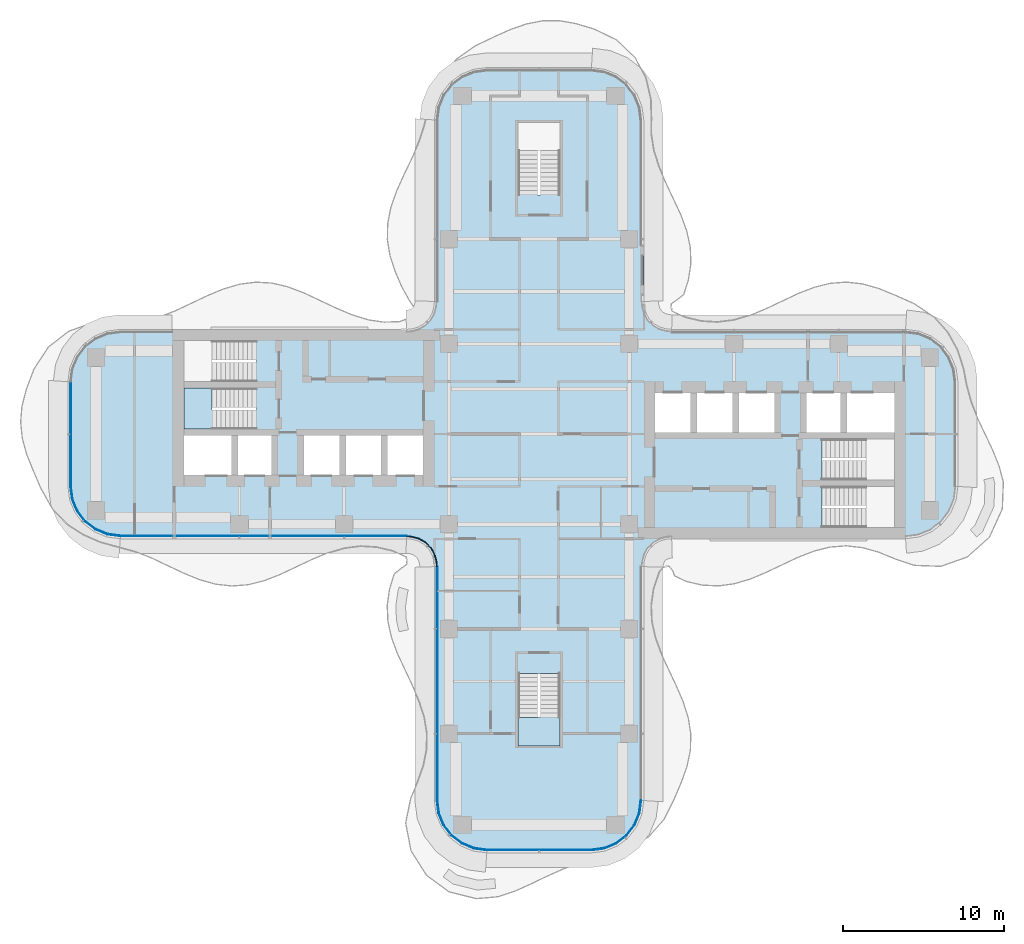
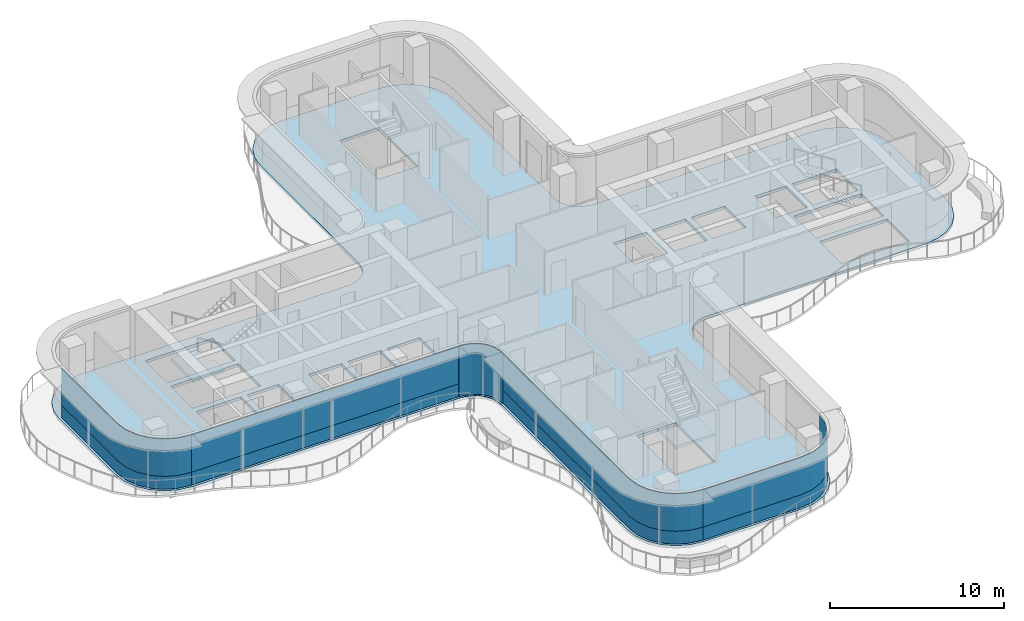
# One storey, part 10 of 19: 9 plates, 3 slabs, 7 elements without a shape of their own.
"""IFC4 building model written with IfcOpenShell, lengths in metres."""

from ifc_helpers import new_model, si_unit, direction, frame, origin, place, context, subcontext, project, spatial, polyline, outline, extrude, source, transform, mapped, material, layer, layer_set, type_object, element, aggregate, save


model = new_model("IFC4")

# Units and contexts
model_context = context("Model", 3, precision=1e-05, world=origin(), true_north=direction((0.0, 1.0)))
body_context = subcontext(model_context, "Body", "Model", "MODEL_VIEW")
ifc_project = project(units=[si_unit("LENGTHUNIT", "METRE"), si_unit("AREAUNIT", "SQUARE_METRE"), si_unit("VOLUMEUNIT", "CUBIC_METRE"), si_unit("PLANEANGLEUNIT", "RADIAN"), si_unit("MASSUNIT", "GRAM", prefix="KILO")], contexts=[model_context])

# Site, building, storey
site_placement = place(None, origin())
site = spatial("IfcSite", under=ifc_project, at=site_placement, CompositionType="ELEMENT")
building_placement = place(site_placement, origin())
building = spatial("IfcBuilding", under=site, at=building_placement, Name="Trellis Farm Tower", CompositionType="ELEMENT")
storey_placement = place(building_placement, frame((0.0, 0.0, 228.5)))
storey = spatial("IfcBuildingStorey", under=building, at=storey_placement, Name="L50", CompositionType="ELEMENT", Elevation=228.5)

# Slab
ifc_material_1 = material(Name="Concrete C40/50", Category="concrete")
ifc_layer_1 = layer(ifc_material_1, 0.199951171875)
ifc_layer_set_1 = layer_set([ifc_layer_1], Name="Composite deck floor slab 200")
slab_type_1 = type_object("IfcSlabType", Name="Composite deck floor slab 200", PredefinedType="FLOOR", material=ifc_layer_set_1)
shared_shape_1 = source(origin(), body_context, "Body", "SweptSolid", [
    extrude(outline(polyline([(-26.84130859375, -6.389404296875), (-27.625, -6.064697265625), (-28.298095703125, -5.548095703125), (-28.814697265625, -4.875), (-29.139404296875, -4.09130859375), (-29.25, -3.25), (-29.25, 3.25), (-29.139404296875, 4.09130859375), (-28.814697265625, 4.875), (-28.298095703125, 5.548095703125), (-27.625, 6.064697265625), (-26.84130859375, 6.389404296875), (-26.0, 6.5), (-8.2314453125, 6.5), (-8.01953125, 6.513916015625), (-7.91552734375, 6.527587890625), (-7.508544921875, 6.63671875), (-7.144287109375, 6.846923828125), (-6.846923828125, 7.144287109375), (-6.63671875, 7.508544921875), (-6.527587890625, 7.91552734375), (-6.513916015625, 8.01953125), (-6.5, 8.2314453125), (-6.5, 19.5), (-6.389404296875, 20.34130859375), (-6.064697265625, 21.125), (-5.548095703125, 21.798095703125), (-4.875, 22.314697265625), (-4.09130859375, 22.639404296875), (-3.25, 22.75), (3.25, 22.75), (4.09130859375, 22.639404296875), (4.875, 22.314697265625), (5.548095703125, 21.798095703125), (6.064697265625, 21.125), (6.389404296875, 20.34130859375), (6.5, 19.5), (6.5, 8.2314453125), (6.513916015625, 8.01953125), (6.527587890625, 7.91552734375), (6.63671875, 7.508544921875), (6.846923828125, 7.144287109375), (7.144287109375, 6.846923828125), (7.508544921875, 6.63671875), (7.91552734375, 6.527587890625), (8.01953125, 6.513916015625), (8.2314453125, 6.5), (22.75, 6.5), (23.59130859375, 6.389404296875), (24.375, 6.064697265625), (25.048095703125, 5.548095703125), (25.564697265625, 4.875), (25.889404296875, 4.09130859375), (26.0, 3.25), (26.0, -3.25), (25.889404296875, -4.09130859375), (25.564697265625, -4.875), (25.048095703125, -5.548095703125), (24.375, -6.064697265625), (23.59130859375, -6.389404296875), (22.75, -6.5), (8.2314453125, -6.5), (8.01953125, -6.513916015625), (7.91552734375, -6.527587890625), (7.508544921875, -6.63671875), (7.144287109375, -6.846923828125), (6.846923828125, -7.144287109375), (6.63671875, -7.508544921875), (6.527587890625, -7.91552734375), (6.513916015625, -8.01953125), (6.5, -8.2314453125), (6.5, -22.75), (6.389404296875, -23.59130859375), (6.064697265625, -24.375), (5.548095703125, -25.048095703125), (4.875, -25.564697265625), (4.09130859375, -25.889404296875), (3.25, -26.0), (-3.25, -26.0), (-4.09130859375, -25.889404296875), (-4.875, -25.564697265625), (-5.548095703125, -25.048095703125), (-6.064697265625, -24.375), (-6.389404296875, -23.59130859375), (-6.5, -22.75), (-6.5, -8.2314453125), (-6.513916015625, -8.01953125), (-6.527587890625, -7.91552734375), (-6.63671875, -7.508544921875), (-6.846923828125, -7.144287109375), (-7.144287109375, -6.846923828125), (-7.508544921875, -6.63671875), (-7.91552734375, -6.527587890625), (-8.01953125, -6.513916015625), (-8.2314453125, -6.5), (-26.0, -6.5), (-26.84130859375, -6.389404296875)]), holes=[polyline([(-22.050048828125, -0.10009765625), (-22.050048828125, -2.550048828125), (-19.10009765625, -2.550048828125), (-19.10009765625, -0.10009765625), (-22.050048828125, -0.10009765625)]), polyline([(-18.699951171875, -0.10009765625), (-18.699951171875, -2.550048828125), (-16.60009765625, -2.550048828125), (-16.60009765625, -0.10009765625), (-18.699951171875, -0.10009765625)]), polyline([(-14.60009765625, -0.10009765625), (-14.60009765625, -2.550048828125), (-12.39990234375, -2.550048828125), (-12.39990234375, -0.10009765625), (-14.60009765625, -0.10009765625)]), polyline([(-12.0, -0.10009765625), (-12.0, -2.550048828125), (-9.800048828125, -2.550048828125), (-9.800048828125, -0.10009765625), (-12.0, -0.10009765625)]), polyline([(-9.39990234375, -0.10009765625), (-9.39990234375, -2.550048828125), (-7.199951171875, -2.550048828125), (-7.199951171875, -0.10009765625), (-9.39990234375, -0.10009765625)]), polyline([(-17.56201171875, 1.64990234375), (-17.56201171875, 2.85009765625), (-22.050048828125, 2.85009765625), (-22.050048828125, 0.300048828125), (-17.56005859375, 0.300048828125), (-17.56005859375, 1.5), (-17.550048828125, 1.5), (-17.550048828125, 1.64990234375), (-17.56201171875, 1.64990234375)]), polyline([(-17.56201171875, 4.60009765625), (-17.56201171875, 5.800048828125), (-22.050048828125, 5.800048828125), (-22.050048828125, 3.25), (-17.56005859375, 3.25), (-17.56005859375, 4.449951171875), (-17.550048828125, 4.449951171875), (-17.550048828125, 4.60009765625), (-17.56201171875, 4.60009765625)]), polyline([(0.10009765625, 14.862060546875), (1.300048828125, 14.862060546875), (1.300048828125, 19.35009765625), (-1.300048828125, 19.35009765625), (-1.300048828125, 14.860107421875), (-0.10009765625, 14.860107421875), (-0.10009765625, 14.85009765625), (0.10009765625, 14.85009765625), (0.10009765625, 14.862060546875)]), polyline([(-0.10009765625, -14.862060546875), (-1.300048828125, -14.862060546875), (-1.300048828125, -19.35009765625), (1.300048828125, -19.35009765625), (1.300048828125, -14.860107421875), (0.10009765625, -14.860107421875), (0.10009765625, -14.85009765625), (-0.10009765625, -14.85009765625), (-0.10009765625, -14.862060546875)]), polyline([(17.56201171875, -4.60009765625), (17.56201171875, -5.800048828125), (22.050048828125, -5.800048828125), (22.050048828125, -3.25), (17.56005859375, -3.25), (17.56005859375, -4.449951171875), (17.550048828125, -4.449951171875), (17.550048828125, -4.60009765625), (17.56201171875, -4.60009765625)]), polyline([(17.56201171875, -1.64990234375), (17.56201171875, -2.85009765625), (22.050048828125, -2.85009765625), (22.050048828125, -0.300048828125), (17.56005859375, -0.300048828125), (17.56005859375, -1.5), (17.550048828125, -1.5), (17.550048828125, -1.64990234375), (17.56201171875, -1.64990234375)]), polyline([(9.39990234375, 0.10009765625), (9.39990234375, 2.550048828125), (7.199951171875, 2.550048828125), (7.199951171875, 0.10009765625), (9.39990234375, 0.10009765625)]), polyline([(12.0, 0.10009765625), (12.0, 2.550048828125), (9.800048828125, 2.550048828125), (9.800048828125, 0.10009765625), (12.0, 0.10009765625)]), polyline([(14.60009765625, 0.10009765625), (14.60009765625, 2.550048828125), (12.39990234375, 2.550048828125), (12.39990234375, 0.10009765625), (14.60009765625, 0.10009765625)]), polyline([(18.699951171875, 0.10009765625), (18.699951171875, 2.550048828125), (16.60009765625, 2.550048828125), (16.60009765625, 0.10009765625), (18.699951171875, 0.10009765625)]), polyline([(22.050048828125, 0.10009765625), (22.050048828125, 2.550048828125), (19.10009765625, 2.550048828125), (19.10009765625, 0.10009765625), (22.050048828125, 0.10009765625)])]), origin(), (0.0, 0.0, 1.0), 0.199951171875),
])
slab_1_placement = place(storey_placement, frame((0.0, 0.0, -0.199951171875)))
element("IfcSlab", 1, at=slab_1_placement, inside=storey, type_object=slab_type_1, Name="Floor slab", PredefinedType="FLOOR", context=body_context, shape_type="MappedRepresentation", body=[
    mapped(shared_shape_1, transform((0.0, 0.0, 0.0))),
])

# Stair, slab
ifc_material_2 = material(Name="Concrete C50/60", Category="concrete")
stair_type = type_object("IfcStairType", Name="CORE EXIT STAIR 22 RISERS 177 MM", PredefinedType="HALF_TURN_STAIR", material=ifc_material_2)
placement_1 = place(storey_placement, origin())
stair_1 = element("IfcStair", 2, at=placement_1, inside=storey, type_object=stair_type, Name="Exit stair S", PredefinedType="HALF_TURN_STAIR")
ifc_layer_2 = layer(ifc_material_2, 0.18994140625)
ifc_layer_set_2 = layer_set([ifc_layer_2], Name="CORE STAIR LANDING 190 CONCRETE C50/60")
slab_type_2 = type_object("IfcSlabType", Name="CORE STAIR LANDING 190 CONCRETE C50/60", PredefinedType="LANDING", material=ifc_layer_set_2)
shared_shape_2 = source(origin(), body_context, "Body", "SweptSolid", [
    extrude(outline(polyline([(1.300048828125, -19.35009765625), (-1.300048828125, -19.35009765625), (-1.300048828125, -17.60009765625), (-1.300048828125, -17.590087890625), (-0.10009765625, -17.590087890625), (-0.10009765625, -17.60009765625), (0.10009765625, -17.60009765625), (0.10009765625, -17.27197265625), (1.300048828125, -17.27197265625), (1.300048828125, -17.60009765625), (1.300048828125, -19.35009765625)])), origin(), (0.0, 0.0, 1.0), 0.18994140625),
])
placement_2 = place(storey_placement, frame((0.0, 0.0, 1.760009765625)))
slab_2 = element("IfcSlab", 3, at=placement_2, type_object=slab_type_2, Name="STS landing 1", PredefinedType="LANDING", context=body_context, shape_type="MappedRepresentation", body=[
    mapped(shared_shape_2, transform((0.0, 0.0, 0.0))),
])
aggregate(stair_1, [slab_2])

stair_2 = element("IfcStair", 4, at=placement_1, inside=storey, type_object=stair_type, Name="Exit stair W2", PredefinedType="HALF_TURN_STAIR")
shared_shape_3 = source(origin(), body_context, "Body", "SweptSolid", [
    extrude(outline(polyline([(-19.971923828125, 1.5), (-19.971923828125, 0.300048828125), (-20.300048828125, 0.300048828125), (-22.050048828125, 0.300048828125), (-22.050048828125, 2.85009765625), (-20.300048828125, 2.85009765625), (-20.2900390625, 2.85009765625), (-20.2900390625, 1.64990234375), (-20.300048828125, 1.64990234375), (-20.300048828125, 1.5), (-19.971923828125, 1.5)])), origin(), (0.0, 0.0, 1.0), 0.18994140625),
])
slab_3 = element("IfcSlab", 5, at=placement_2, type_object=slab_type_2, Name="STW2 landing 1", PredefinedType="LANDING", context=body_context, shape_type="MappedRepresentation", body=[
    mapped(shared_shape_3, transform((0.0, 0.0, 0.0))),
])
aggregate(stair_2, [slab_3])

# Curtain wall, plate
ifc_material_3 = material(Name="Aluminium and glass curtain wall", Category="aluminium")
ifc_layer_3 = layer(ifc_material_3, 0.18994140625)
ifc_layer_set_3 = layer_set([ifc_layer_3], Name="RIBBON CURTAIN WALL CW1")
curtain_wall_type_1 = type_object("IfcCurtainWallType", Name="RIBBON CURTAIN WALL CW1", PredefinedType="NOTDEFINED", material=ifc_layer_set_3)
curtain_wall_1 = element("IfcCurtainWall", 6, at=placement_1, inside=storey, type_object=curtain_wall_type_1, Name="CW1 002", PredefinedType="NOTDEFINED")
ifc_material_4 = material(Name="Sandstone faced insulated panel", Category="masonry")
ifc_layer_4 = layer(ifc_material_4, 0.050048828125)
ifc_layer_set_4 = layer_set([ifc_layer_4], Name="CW1 STONE SPANDREL PANEL 50")
plate_type_1 = type_object("IfcPlateType", Name="CW1 STONE SPANDREL PANEL 50", PredefinedType="CURTAIN_PANEL", material=ifc_layer_set_4)
shared_shape_4 = source(origin(), body_context, "Body", "SweptSolid", [
    extrude(outline(polyline([(-6.35009765625, -8.2265625), (-6.35009765625, -22.740234375), (-6.2431640625, -23.552001953125), (-5.93359375, -24.29931640625), (-5.441162109375, -24.941162109375), (-4.79931640625, -25.43359375), (-4.052001953125, -25.7431640625), (-3.240234375, -25.85009765625), (-3.23681640625, -25.800048828125), (-4.0390625, -25.6943359375), (-4.774169921875, -25.389892578125), (-5.405517578125, -24.905517578125), (-5.889892578125, -24.274169921875), (-6.1943359375, -23.5390625), (-6.300048828125, -22.73681640625), (-6.300048828125, -8.224853515625), (-6.35009765625, -8.2265625)])), origin(), (0.0, 0.0, 1.0), 0.89990234375),
])
plate_1 = element("IfcPlate", 7, at=placement_1, type_object=plate_type_1, Name="PS1 002", PredefinedType="CURTAIN_PANEL", context=body_context, shape_type="MappedRepresentation", body=[
    mapped(shared_shape_4, transform((0.0, 0.0, 0.0))),
])

curtain_wall_2 = element("IfcCurtainWall", 8, at=placement_1, inside=storey, type_object=curtain_wall_type_1, Name="CW1 003", PredefinedType="NOTDEFINED")
shared_shape_5 = source(origin(), body_context, "Body", "SweptSolid", [
    extrude(outline(polyline([(-3.240234375, -25.85009765625), (3.240234375, -25.85009765625), (4.052001953125, -25.7431640625), (4.79931640625, -25.43359375), (5.441162109375, -24.941162109375), (5.93359375, -24.29931640625), (6.2431640625, -23.552001953125), (6.35009765625, -22.740234375), (6.300048828125, -22.73681640625), (6.1943359375, -23.5390625), (5.889892578125, -24.274169921875), (5.405517578125, -24.905517578125), (4.774169921875, -25.389892578125), (4.0390625, -25.6943359375), (3.23681640625, -25.800048828125), (-3.23681640625, -25.800048828125), (-3.240234375, -25.85009765625)])), origin(), (0.0, 0.0, 1.0), 0.89990234375),
])
plate_2 = element("IfcPlate", 9, at=placement_1, type_object=plate_type_1, Name="PS1 003", PredefinedType="CURTAIN_PANEL", context=body_context, shape_type="MappedRepresentation", body=[
    mapped(shared_shape_5, transform((0.0, 0.0, 0.0))),
])

ifc_layer_5 = layer(ifc_material_3, 0.166015625)
ifc_layer_set_5 = layer_set([ifc_layer_5], Name="WINTER GARDEN CURTAIN WALL CW3")
curtain_wall_type_2 = type_object("IfcCurtainWallType", Name="WINTER GARDEN CURTAIN WALL CW3", PredefinedType="NOTDEFINED", material=ifc_layer_set_5)
curtain_wall_3 = element("IfcCurtainWall", 10, at=placement_1, inside=storey, type_object=curtain_wall_type_2, Name="CW3 001", PredefinedType="NOTDEFINED")
ifc_material_5 = material(Name="Clear insulated glass", Category="glass")
ifc_layer_6 = layer(ifc_material_5, 0.0458984375)
ifc_layer_set_6 = layer_set([ifc_layer_6], Name="CW3 GLASS PANEL 46")
plate_type_2 = type_object("IfcPlateType", Name="CW3 GLASS PANEL 46", PredefinedType="CURTAIN_PANEL", material=ifc_layer_set_6)
shared_shape_6 = source(origin(), body_context, "Body", "SweptSolid", [
    extrude(outline(polyline([(-8.2275390625, -6.3798828125), (-8.0078125, -6.394287109375), (-7.89208984375, -6.40966796875), (-7.462158203125, -6.52490234375), (-7.070556640625, -6.7509765625), (-6.7509765625, -7.070556640625), (-6.52490234375, -7.462158203125), (-6.40966796875, -7.89208984375), (-6.394287109375, -8.0078125), (-6.3798828125, -8.2275390625), (-6.333984375, -8.22607421875), (-6.3486328125, -8.003173828125), (-6.364501953125, -7.883056640625), (-6.48193359375, -7.4443359375), (-6.714111328125, -7.04248046875), (-7.04248046875, -6.714111328125), (-7.4443359375, -6.48193359375), (-7.883056640625, -6.364501953125), (-8.003173828125, -6.3486328125), (-8.22607421875, -6.333984375), (-8.2275390625, -6.3798828125)])), origin(), (0.0, 0.0, 1.0), 3.550048828125),
])
plate_3 = element("IfcPlate", 11, at=placement_1, type_object=plate_type_2, Name="PL3 001", PredefinedType="CURTAIN_PANEL", context=body_context, shape_type="MappedRepresentation", body=[
    mapped(shared_shape_6, transform((0.0, 0.0, 0.0))),
])
aggregate(curtain_wall_3, [plate_3])

# Curtain wall, plates
curtain_wall_4 = element("IfcCurtainWall", 12, at=placement_1, inside=storey, type_object=curtain_wall_type_1, Name="CW1 001", PredefinedType="NOTDEFINED")
ifc_layer_7 = layer(ifc_material_5, 0.0400390625)
ifc_layer_set_7 = layer_set([ifc_layer_7], Name="CW1 GLASS PANEL 40")
plate_type_3 = type_object("IfcPlateType", Name="CW1 GLASS PANEL 40", PredefinedType="CURTAIN_PANEL", material=ifc_layer_set_7)
shared_shape_7 = source(origin(), body_context, "Body", "SweptSolid", [
    extrude(outline(polyline([(-25.990234375, -6.35009765625), (-8.2265625, -6.35009765625), (-8.22509765625, -6.31005859375), (-25.987548828125, -6.31005859375), (-25.990234375, -6.35009765625)])), origin(), (0.0, 0.0, 1.0), 2.6201171875),
])
placement_3 = place(storey_placement, frame((0.0, 0.0, 0.89990234375)))
plate_4 = element("IfcPlate", 13, at=placement_3, type_object=plate_type_3, Name="PL1 001", PredefinedType="CURTAIN_PANEL", context=body_context, shape_type="MappedRepresentation", body=[
    mapped(shared_shape_7, transform((0.0, 0.0, 0.0))),
])
shared_shape_8 = source(origin(), body_context, "Body", "SweptSolid", [
    extrude(outline(polyline([(-25.990234375, -6.35009765625), (-8.2265625, -6.35009765625), (-8.224853515625, -6.300048828125), (-25.98681640625, -6.300048828125), (-25.990234375, -6.35009765625)])), origin(), (0.0, 0.0, 1.0), 0.89990234375),
])
plate_5 = element("IfcPlate", 14, at=placement_1, type_object=plate_type_1, Name="PS1 001", PredefinedType="CURTAIN_PANEL", context=body_context, shape_type="MappedRepresentation", body=[
    mapped(shared_shape_8, transform((0.0, 0.0, 0.0))),
])
aggregate(curtain_wall_4, [plate_4, plate_5])

# Plate
shared_shape_9 = source(origin(), body_context, "Body", "SweptSolid", [
    extrude(outline(polyline([(-6.35009765625, -8.2265625), (-6.35009765625, -22.740234375), (-6.2431640625, -23.552001953125), (-5.93359375, -24.29931640625), (-5.441162109375, -24.941162109375), (-4.79931640625, -25.43359375), (-4.052001953125, -25.7431640625), (-3.240234375, -25.85009765625), (-3.237548828125, -25.81005859375), (-4.04150390625, -25.7041015625), (-4.779296875, -25.398681640625), (-5.41259765625, -24.91259765625), (-5.898681640625, -24.279296875), (-6.2041015625, -23.54150390625), (-6.31005859375, -22.737548828125), (-6.31005859375, -8.22509765625), (-6.35009765625, -8.2265625)])), origin(), (0.0, 0.0, 1.0), 2.6201171875),
])
plate_6 = element("IfcPlate", 15, at=placement_3, type_object=plate_type_3, Name="PL1 002", PredefinedType="CURTAIN_PANEL", context=body_context, shape_type="MappedRepresentation", body=[
    mapped(shared_shape_9, transform((0.0, 0.0, 0.0))),
])

aggregate(curtain_wall_1, [plate_6, plate_1])

shared_shape_10 = source(origin(), body_context, "Body", "SweptSolid", [
    extrude(outline(polyline([(-3.240234375, -25.85009765625), (3.240234375, -25.85009765625), (4.052001953125, -25.7431640625), (4.79931640625, -25.43359375), (5.441162109375, -24.941162109375), (5.93359375, -24.29931640625), (6.2431640625, -23.552001953125), (6.35009765625, -22.740234375), (6.31005859375, -22.737548828125), (6.2041015625, -23.54150390625), (5.898681640625, -24.279296875), (5.41259765625, -24.91259765625), (4.779296875, -25.398681640625), (4.04150390625, -25.7041015625), (3.237548828125, -25.81005859375), (-3.237548828125, -25.81005859375), (-3.240234375, -25.85009765625)])), origin(), (0.0, 0.0, 1.0), 2.6201171875),
])
plate_7 = element("IfcPlate", 16, at=placement_3, type_object=plate_type_3, Name="PL1 003", PredefinedType="CURTAIN_PANEL", context=body_context, shape_type="MappedRepresentation", body=[
    mapped(shared_shape_10, transform((0.0, 0.0, 0.0))),
])

aggregate(curtain_wall_2, [plate_7, plate_2])

# Curtain wall, plates
curtain_wall_5 = element("IfcCurtainWall", 17, at=placement_1, inside=storey, type_object=curtain_wall_type_1, Name="CW1 013", PredefinedType="NOTDEFINED")
shared_shape_11 = source(origin(), body_context, "Body", "SweptSolid", [
    extrude(outline(polyline([(-29.10009765625, 3.240234375), (-29.10009765625, -3.240234375), (-28.9931640625, -4.052001953125), (-28.68359375, -4.79931640625), (-28.191162109375, -5.441162109375), (-27.54931640625, -5.93359375), (-26.802001953125, -6.2431640625), (-25.990234375, -6.35009765625), (-25.987548828125, -6.31005859375), (-26.79150390625, -6.2041015625), (-27.529296875, -5.898681640625), (-28.16259765625, -5.41259765625), (-28.648681640625, -4.779296875), (-28.9541015625, -4.04150390625), (-29.06005859375, -3.237548828125), (-29.06005859375, 3.237548828125), (-29.10009765625, 3.240234375)])), origin(), (0.0, 0.0, 1.0), 2.6201171875),
])
plate_8 = element("IfcPlate", 18, at=placement_3, type_object=plate_type_3, Name="PL1 013", PredefinedType="CURTAIN_PANEL", context=body_context, shape_type="MappedRepresentation", body=[
    mapped(shared_shape_11, transform((0.0, 0.0, 0.0))),
])
shared_shape_12 = source(origin(), body_context, "Body", "SweptSolid", [
    extrude(outline(polyline([(-29.10009765625, 3.240234375), (-29.10009765625, -3.240234375), (-28.9931640625, -4.052001953125), (-28.68359375, -4.79931640625), (-28.191162109375, -5.441162109375), (-27.54931640625, -5.93359375), (-26.802001953125, -6.2431640625), (-25.990234375, -6.35009765625), (-25.98681640625, -6.300048828125), (-26.7890625, -6.1943359375), (-27.524169921875, -5.889892578125), (-28.155517578125, -5.405517578125), (-28.639892578125, -4.774169921875), (-28.9443359375, -4.0390625), (-29.050048828125, -3.23681640625), (-29.050048828125, 3.23681640625), (-29.10009765625, 3.240234375)])), origin(), (0.0, 0.0, 1.0), 0.89990234375),
])
plate_9 = element("IfcPlate", 19, at=placement_1, type_object=plate_type_1, Name="PS1 013", PredefinedType="CURTAIN_PANEL", context=body_context, shape_type="MappedRepresentation", body=[
    mapped(shared_shape_12, transform((0.0, 0.0, 0.0))),
])
aggregate(curtain_wall_5, [plate_8, plate_9])

save(model, "model.ifc")
